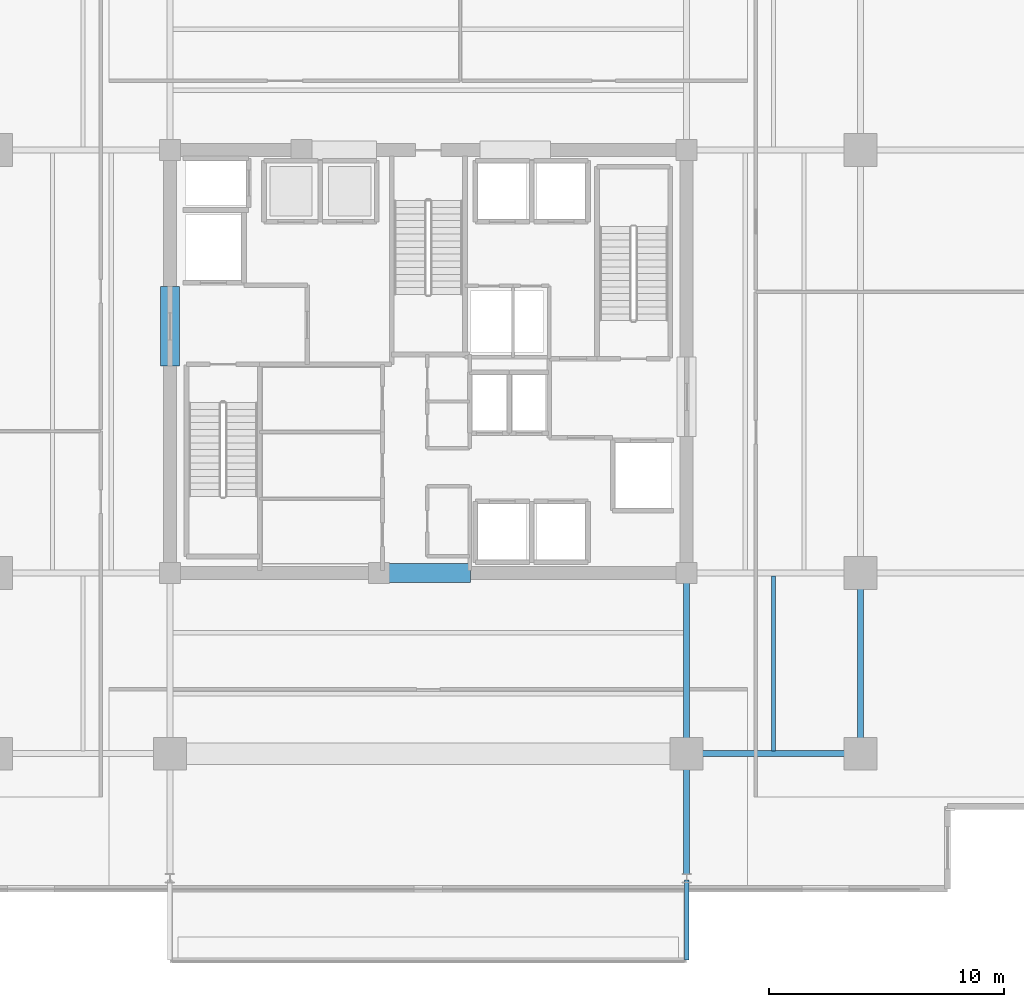
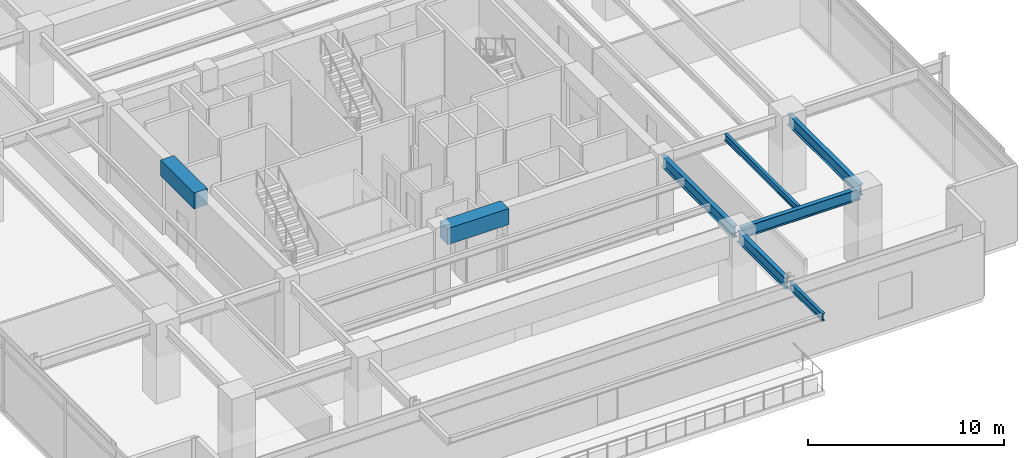
# One storey, part 6 of 25: 8 beams.
"""IFC4 building model written with IfcOpenShell, lengths in metres."""

from ifc_helpers import new_model, si_unit, direction, frame, origin, origin_2d, place, context, subcontext, project, spatial, rectangle, i_section, extrude, material, material_profile, profile_set, type_object, element, save


model = new_model("IFC4")

# Units and contexts
model_context = context("Model", 3, precision=1e-05, world=origin(), true_north=direction((0.0, 1.0)))
body_context = subcontext(model_context, "Body", "Model", "MODEL_VIEW")
ifc_project = project(units=[si_unit("LENGTHUNIT", "METRE"), si_unit("AREAUNIT", "SQUARE_METRE"), si_unit("VOLUMEUNIT", "CUBIC_METRE"), si_unit("PLANEANGLEUNIT", "RADIAN"), si_unit("MASSUNIT", "GRAM", prefix="KILO")], contexts=[model_context])

# Site, building, storey
site_placement = place(None, origin())
site = spatial("IfcSite", under=ifc_project, at=site_placement, CompositionType="ELEMENT")
building_placement = place(site_placement, origin())
building = spatial("IfcBuilding", under=site, at=building_placement, Name="Kovane Verandah Tower", CompositionType="ELEMENT")
storey_placement = place(building_placement, frame((0.0, 0.0, 233.199951171875)))
storey = spatial("IfcBuildingStorey", under=building, at=storey_placement, Name="L54", CompositionType="ELEMENT", Elevation=233.199951171875)

# Beams
ifc_material_1 = material(Name="Concrete C60/75", Category="concrete")
ifc_material_profile_1 = material_profile(ifc_material_1, rectangle(XDim=0.800048828125, YDim=1.0, at=origin_2d()), Name="RCB800x1000")
ifc_profile_set_1 = profile_set([ifc_material_profile_1], Name="Concrete C60/75")
beam_type_1 = type_object("IfcBeamType", Name="BM-LINTEL-800x1000", PredefinedType="LINTEL", material=ifc_profile_set_1)
beam_1_placement = place(storey_placement, frame((38.199951171875, 18.5, 4.199951171875), z_axis=(1.0, 0.0, 0.0), x_axis=(0.0, 1.0, 0.0)))
element("IfcBeam", 1, at=beam_1_placement, inside=storey, type_object=beam_type_1, Name="L54 Core Coupling Lintel CL-S", PredefinedType="LINTEL", context=body_context, shape_type="SweptSolid", body=[
    extrude(rectangle(XDim=0.800048828125, YDim=1.0, at=origin_2d()), origin(), (0.0, 0.0, 1.0), 3.60009765625),
])
beam_2_placement = place(storey_placement, frame((29.0, 27.300048828125, 4.199951171875), z_axis=(0.0, 1.0, 0.0), x_axis=(-1.0, 0.0, 0.0)))
element("IfcBeam", 2, at=beam_2_placement, inside=storey, type_object=beam_type_1, Name="L54 Core Coupling Lintel CL-W", PredefinedType="LINTEL", context=body_context, shape_type="SweptSolid", body=[
    extrude(rectangle(XDim=0.800048828125, YDim=1.0, at=origin_2d()), origin(), (0.0, 0.0, 1.0), 3.39990234375),
])
ifc_material_2 = material(Name="Steel S355", Category="steel")
ifc_material_profile_2 = material_profile(ifc_material_2, i_section(OverallWidth=0.255859375, OverallDepth=0.69287109375, WebThickness=0.014404296875, FlangeThickness=0.023681640625, FilletRadius=0.01513671875, at=origin_2d()), Name="UB686x254x170")
ifc_profile_set_2 = profile_set([ifc_material_profile_2], Name="Steel S355")
beam_type_2 = type_object("IfcBeamType", Name="BM-UB686x170", PredefinedType="BEAM", material=ifc_profile_set_2)
beam_3_placement = place(storey_placement, frame((51.179931640625, 10.800048828125, 4.353759765625), z_axis=(1.0, 0.0, 0.0), x_axis=(0.0, 1.0, 0.0)))
element("IfcBeam", 3, at=beam_3_placement, inside=storey, type_object=beam_type_2, Name="L54 Primary Tower Girder G-RS3", PredefinedType="BEAM", context=body_context, shape_type="SweptSolid", body=[
    extrude(i_section(OverallWidth=0.255859375, OverallDepth=0.69287109375, WebThickness=0.014404296875, FlangeThickness=0.023681640625, FilletRadius=0.01513671875, at=origin_2d()), origin(), (0.0, 0.0, 1.0), 7.0400390625),
])
for number, where, z_axis, x_axis, name in (
    (4, (58.39990234375, 10.97998046875, 4.353759765625), (0.0, 1.0, 0.0), (-1.0, 0.0, 0.0), "L54 Primary Tower Girder G-RE1"),
    (5, (51.0, 18.320068359375, 4.353759765625), (0.0, -1.0, 0.0), (1.0, 0.0, 0.0), "L54 Primary Tower Girder G-S2"),
):
    element("IfcBeam", number, at=place(storey_placement, frame(where, z_axis=z_axis, x_axis=x_axis)), inside=storey, type_object=beam_type_2, Name=name, PredefinedType="BEAM", context=body_context, shape_type="SweptSolid", body=[
        extrude(i_section(OverallWidth=0.255859375, OverallDepth=0.69287109375, WebThickness=0.014404296875, FlangeThickness=0.023681640625, FilletRadius=0.01513671875, at=origin_2d()), origin(), (0.0, 0.0, 1.0), 7.340087890625),
    ])
beam_4_placement = place(storey_placement, frame((51.0, 10.6201171875, 4.353759765625), z_axis=(0.0, -1.0, 0.0), x_axis=(1.0, 0.0, 0.0)))
element("IfcBeam", 6, at=beam_4_placement, inside=storey, type_object=beam_type_2, Name="L54 Primary Tower Girder G-VS2", PredefinedType="BEAM", context=body_context, shape_type="SweptSolid", body=[
    extrude(i_section(OverallWidth=0.255859375, OverallDepth=0.69287109375, WebThickness=0.014404296875, FlangeThickness=0.023681640625, FilletRadius=0.01513671875, at=origin_2d()), origin(), (0.0, 0.0, 1.0), 4.940185546875),
])
ifc_material_profile_3 = material_profile(ifc_material_2, i_section(OverallWidth=0.179443359375, OverallDepth=0.412841796875, WebThickness=0.009521484375, FlangeThickness=0.01611328125, FilletRadius=0.01025390625, at=origin_2d()), Name="UB406x178x74")
ifc_profile_set_3 = profile_set([ifc_material_profile_3], Name="Steel S355")
beam_type_3 = type_object("IfcBeamType", Name="JST-UB406x74", PredefinedType="JOIST", material=ifc_profile_set_3)
beam_5_placement = place(storey_placement, frame((54.699951171875, 10.92578125, 4.49365234375), z_axis=(0.0, 1.0, 0.0), x_axis=(-1.0, 0.0, 0.0)))
element("IfcBeam", 7, at=beam_5_placement, inside=storey, type_object=beam_type_3, Name="L54 Secondary Composite Joist J-SE1", PredefinedType="JOIST", context=body_context, shape_type="SweptSolid", body=[
    extrude(i_section(OverallWidth=0.179443359375, OverallDepth=0.412841796875, WebThickness=0.009521484375, FlangeThickness=0.01611328125, FilletRadius=0.01025390625, at=origin_2d()), origin(), (0.0, 0.0, 1.0), 7.4482421875),
])
ifc_material_profile_4 = material_profile(ifc_material_2, i_section(OverallWidth=0.19287109375, OverallDepth=0.46728515625, WebThickness=0.011474609375, FlangeThickness=0.01953125, FilletRadius=0.01025390625, at=origin_2d()), Name="UB457x191x98")
ifc_profile_set_4 = profile_set([ifc_material_profile_4], Name="Steel S355")
beam_type_4 = type_object("IfcBeamType", Name="JST-UB457x98", PredefinedType="JOIST", material=ifc_profile_set_4)
beam_6_placement = place(storey_placement, frame((51.0, 5.419921875, 4.466552734375), z_axis=(0.0, -1.0, 0.0), x_axis=(1.0, 0.0, 0.0)))
element("IfcBeam", 8, at=beam_6_placement, inside=storey, type_object=beam_type_4, Name="L54 South Planter Girder 2", PredefinedType="JOIST", context=body_context, shape_type="SweptSolid", body=[
    extrude(i_section(OverallWidth=0.19287109375, OverallDepth=0.46728515625, WebThickness=0.011474609375, FlangeThickness=0.01953125, FilletRadius=0.01025390625, at=origin_2d()), origin(), (0.0, 0.0, 1.0), 3.393310546875),
])

save(model, "model.ifc")
